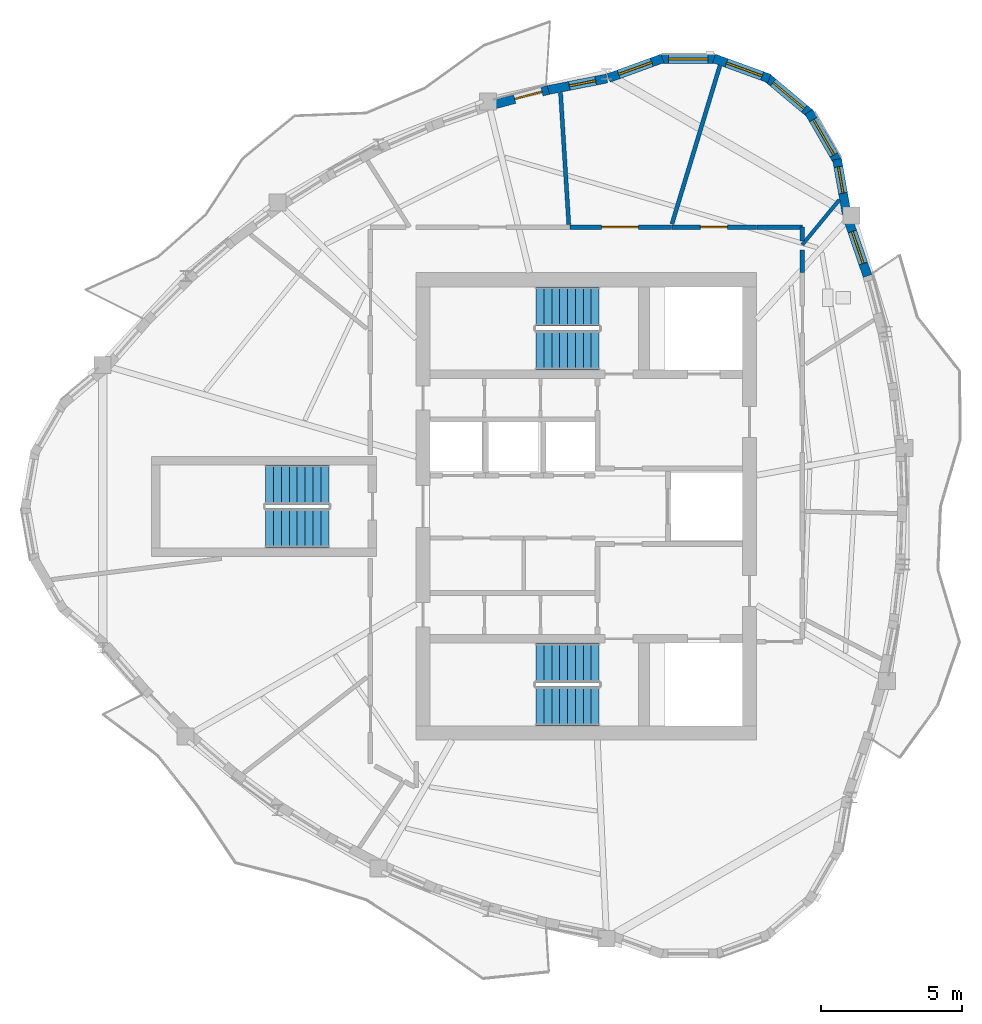
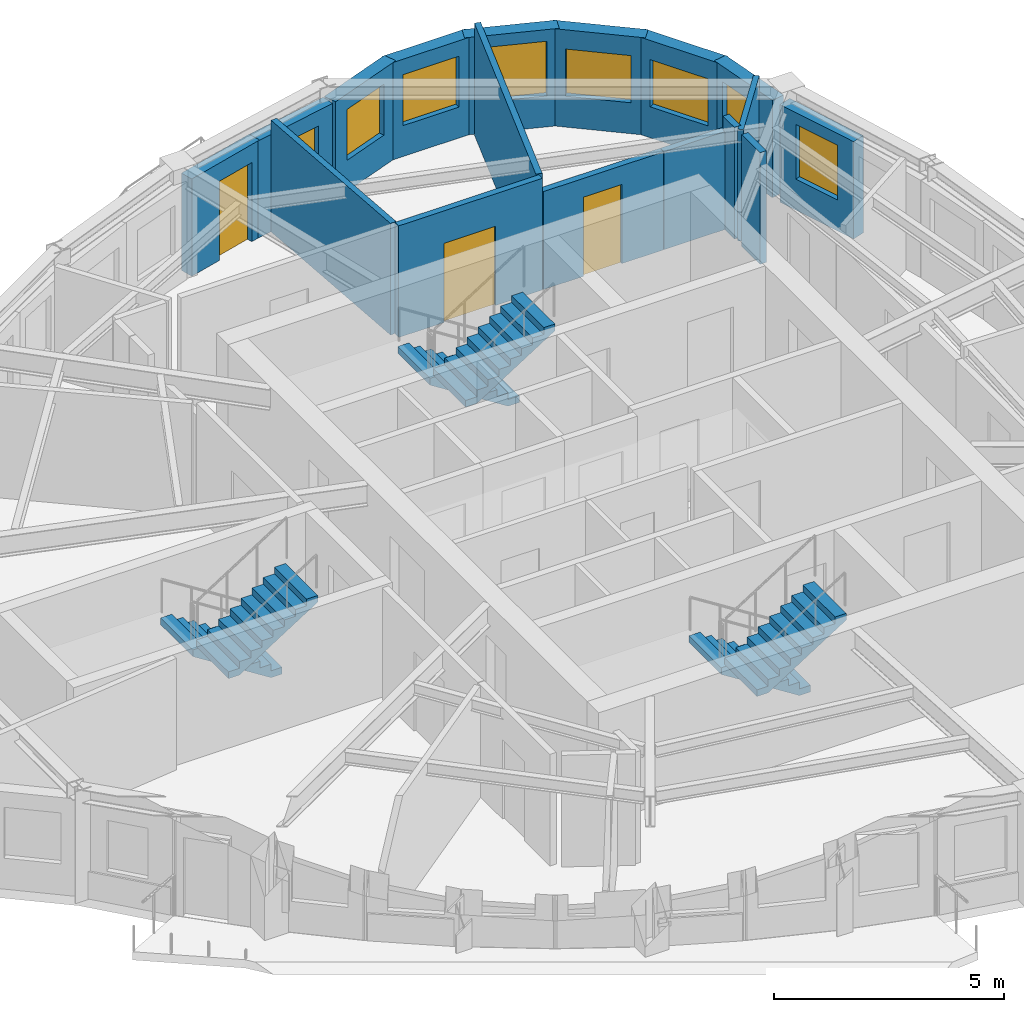
# One storey, part 7 of 11: 17 walls, 8 windows, 6 stair flights, 3 doors, 11 openings, 3 elements without a shape of their own.
"""IFC4 building model written with IfcOpenShell, lengths in metres."""

from ifc_helpers import new_model, si_unit, direction, frame, frame_2d, origin, place, context, subcontext, project, spatial, polyline, rectangle, outline, extrude, source, transform, mapped, material, layer, layer_set, type_object, element, fill, aggregate, save


model = new_model("IFC4")

# Units and contexts
model_context = context("Model", 3, precision=1e-05, world=origin(), true_north=direction((0.0, 1.0)))
body_context = subcontext(model_context, "Body", "Model", "MODEL_VIEW")
ifc_project = project(units=[si_unit("LENGTHUNIT", "METRE"), si_unit("AREAUNIT", "SQUARE_METRE"), si_unit("VOLUMEUNIT", "CUBIC_METRE"), si_unit("PLANEANGLEUNIT", "RADIAN"), si_unit("MASSUNIT", "GRAM", prefix="KILO")], contexts=[model_context])

# Site, building, storey
site_placement = place(None, origin())
site = spatial("IfcSite", under=ifc_project, at=site_placement, CompositionType="ELEMENT")
building_placement = place(site_placement, origin())
building = spatial("IfcBuilding", under=site, at=building_placement, Name="Qafzar Sky-Pleat Residences", CompositionType="ELEMENT")
storey_placement = place(building_placement, frame((0.0, 0.0, 243.60009765625)))
storey = spatial("IfcBuildingStorey", under=building, at=storey_placement, Name="L73", CompositionType="ELEMENT", Elevation=243.60009765625)

# Wall, opening, door
ifc_material_1 = material(Name="Acoustic gypsum plasterboard partition", Category="gypsum")
ifc_layer_1 = layer(ifc_material_1, 0.159912109375)
ifc_layer_set_1 = layer_set([ifc_layer_1], Name="Acoustic gypsum plasterboard partition")
wall_type_1 = type_object("IfcWallType", Name="PART-COR-160", PredefinedType="PARTITIONING", material=ifc_layer_set_1)
wall_1_placement = place(storey_placement, frame((29.760986328125, 35.919921875, 0.0), z_axis=(0.0, 0.0, 1.0), x_axis=(1.0, 0.0, 0.0)))
wall_1 = element("IfcWall", 1, at=wall_1_placement, inside=storey, type_object=wall_type_1, Name="L73 Partition Wall PART-L73-PW-006", PredefinedType="PARTITIONING", context=body_context, shape_type="SweptSolid", body=[
    extrude(rectangle(XDim=3.610107421875, YDim=0.159912109375, at=frame_2d((1.80517578125, 0.0))), origin(), (0.0, 0.0, 1.0), 2.9599609375),
])
opening_1_placement = place(wall_1_placement, frame((1.132568359375, 0.0, 0.0)))
opening_1 = element("IfcOpeningElement", 2, at=opening_1_placement, cuts=wall_1, Name="Opening ID-05", PredefinedType="OPENING", context=body_context, shape_type="SweptSolid", body=[
    extrude(rectangle(XDim=1.300048828125, YDim=2.10009765625, at=frame_2d((0.64990234375, 1.050048828125))), frame((0.0, 0.08984375, 0.0), z_axis=(0.0, -1.0, 0.0), x_axis=(1.0, 0.0, 0.0)), (0.0, 0.0, 1.0), 0.179931640625),
])
ifc_material_2 = material(Name="Timber-faced fire door", Category="wood")
door_type_1 = type_object("IfcDoorType", Name="DR-LNG-1300", OperationType="DOUBLE_DOOR_SINGLE_SWING", PredefinedType="DOOR", material=ifc_material_2)
shared_shape_1 = source(origin(), body_context, "Body", "SweptSolid", [
    extrude(rectangle(XDim=1.300048828125, YDim=2.10009765625, at=frame_2d((0.64990234375, 1.050048828125))), frame((0.0, 0.02490234375, 0.0), z_axis=(0.0, -1.0, 0.0), x_axis=(1.0, 0.0, 0.0)), (0.0, 0.0, 1.0), 0.050048828125),
])
door_1_placement = place(opening_1_placement, origin())
door_1 = element("IfcDoor", 3, at=door_1_placement, inside=storey, type_object=door_type_1, Name="L73 Graduate Lecture Room Door", OperationType="DOUBLE_DOOR_SINGLE_SWING", OverallHeight=2.10009765625, OverallWidth=1.300048828125, PredefinedType="DOOR", context=body_context, shape_type="MappedRepresentation", body=[
    mapped(shared_shape_1, transform((0.0, 0.0, 0.0), x_axis=(1.0, 0.0, 0.0), y_axis=(0.0, 1.0, 0.0), z_axis=(0.0, 0.0, 1.0), scale=1.0)),
])
fill(opening_1, door_1)

wall_2_placement = place(storey_placement, frame((33.385986328125, 35.919921875, 0.0), z_axis=(0.0, 0.0, 1.0), x_axis=(1.0, 0.0, 0.0)))
wall_2 = element("IfcWall", 4, at=wall_2_placement, inside=storey, type_object=wall_type_1, Name="L73 Partition Wall PART-L73-PW-009", PredefinedType="PARTITIONING", context=body_context, shape_type="SweptSolid", body=[
    extrude(rectangle(XDim=3.013916015625, YDim=0.159912109375, at=frame_2d((1.5068359375, 0.0))), origin(), (0.0, 0.0, 1.0), 2.597900390625),
])
opening_2_placement = place(wall_2_placement, frame((1.011962890625, 0.0, 0.0)))
opening_2 = element("IfcOpeningElement", 5, at=opening_2_placement, cuts=wall_2, Name="Opening ID-06", PredefinedType="OPENING", context=body_context, shape_type="SweptSolid", body=[
    extrude(rectangle(XDim=0.9599609375, YDim=2.10009765625, at=frame_2d((0.47998046875, 1.050048828125))), frame((0.0, 0.08984375, 0.0), z_axis=(0.0, -1.0, 0.0), x_axis=(1.0, 0.0, 0.0)), (0.0, 0.0, 1.0), 0.179931640625),
])
door_type_2 = type_object("IfcDoorType", Name="DR-STD-960", OperationType="NOTDEFINED", PredefinedType="DOOR", material=ifc_material_2)
shared_shape_2 = source(origin(), body_context, "Body", "SweptSolid", [
    extrude(rectangle(XDim=0.9599609375, YDim=2.10009765625, at=frame_2d((0.47998046875, 1.050048828125))), frame((0.0, 0.02490234375, 0.0), z_axis=(0.0, -1.0, 0.0), x_axis=(1.0, 0.0, 0.0)), (0.0, 0.0, 1.0), 0.050048828125),
])
door_2_placement = place(opening_2_placement, origin())
door_2 = element("IfcDoor", 6, at=door_2_placement, inside=storey, type_object=door_type_2, Name="L73 Faculty Research Office Door", OperationType="SINGLE_SWING_LEFT", OverallHeight=2.10009765625, OverallWidth=0.9599609375, PredefinedType="DOOR", context=body_context, shape_type="MappedRepresentation", body=[
    mapped(shared_shape_2, transform((0.0, 0.0, 0.0), x_axis=(1.0, 0.0, 0.0), y_axis=(0.0, 1.0, 0.0), z_axis=(0.0, 0.0, 1.0), scale=1.0)),
])
fill(opening_2, door_2)

# Walls
wall_3_placement = place(storey_placement, frame((36.4150390625, 35.919921875, 0.0), z_axis=(0.0, 0.0, 1.0), x_axis=(1.0, 0.0, 0.0)))
element("IfcWall", 7, at=wall_3_placement, inside=storey, type_object=wall_type_1, Name="L73 Partition Wall PART-L73-PW-023", PredefinedType="PARTITIONING", context=body_context, shape_type="SweptSolid", body=[
    extrude(rectangle(XDim=1.60498046875, YDim=0.159912109375, at=frame_2d((0.802490234375, 0.0))), origin(), (0.0, 0.0, 1.0), 2.597900390625),
])
wall_4_placement = place(storey_placement, frame((38.02001953125, 34.31494140625, 0.0), z_axis=(0.0, 0.0, 1.0), x_axis=(0.0, 1.0, 0.0)))
element("IfcWall", 8, at=wall_4_placement, inside=storey, type_object=wall_type_1, Name="L73 Partition Wall PART-L73-PW-026", PredefinedType="PARTITIONING", context=body_context, shape_type="SweptSolid", body=[
    extrude(rectangle(XDim=0.7958984375, YDim=0.159912109375, at=frame_2d((0.39794921875, 0.0))), origin(), (0.0, 0.0, 1.0), 2.9599609375),
])
wall_5_placement = place(storey_placement, frame((38.02001953125, 35.423095703125, 0.0), z_axis=(0.0, 0.0, 1.0), x_axis=(0.0, 1.0, 0.0)))
element("IfcWall", 9, at=wall_5_placement, inside=storey, type_object=wall_type_1, Name="L73 Partition Wall PART-L73-PW-031", PredefinedType="PARTITIONING", context=body_context, shape_type="SweptSolid", body=[
    extrude(rectangle(XDim=0.496826171875, YDim=0.159912109375, at=frame_2d((0.24853515625, 0.0))), origin(), (0.0, 0.0, 1.0), 2.9599609375),
])
ifc_layer_2 = layer(ifc_material_1, 0.14501953125)
ifc_layer_set_2 = layer_set([ifc_layer_2], Name="Acoustic gypsum plasterboard partition")
wall_type_2 = type_object("IfcWallType", Name="PART-UNIT-145", PredefinedType="PARTITIONING", material=ifc_layer_set_2)
wall_6_placement = place(storey_placement, frame((33.388916015625, 36.02880859375, 0.0), z_axis=(0.0, 0.0, 1.0), x_axis=(0.289965875663, 0.957036985153, 0.0)))
element("IfcWall", 10, at=wall_6_placement, inside=storey, type_object=wall_type_2, Name="L73 Partition Wall PART-L73-PW-013", PredefinedType="PARTITIONING", context=body_context, shape_type="SweptSolid", body=[
    extrude(rectangle(XDim=5.875244140625, YDim=0.14501953125, at=frame_2d((2.9375, 0.0))), origin(), (0.0, 0.0, 1.0), 2.9599609375),
])
wall_7_placement = place(storey_placement, frame((29.4326171875, 40.693603515625, 0.0), z_axis=(0.0, 0.0, 1.0), x_axis=(0.062358842424, -0.998053793526, 0.0)))
element("IfcWall", 11, at=wall_7_placement, inside=storey, type_object=wall_type_2, Name="L73 Partition Wall PART-L73-PW-016", PredefinedType="PARTITIONING", context=body_context, shape_type="SweptSolid", body=[
    extrude(rectangle(XDim=4.690185546875, YDim=0.14501953125, at=frame_2d((2.34521484375, 0.0))), origin(), (0.0, 0.0, 1.0), 2.9599609375),
])
ifc_material_3 = material(Name="Moisture-resistant gypsum partition", Category="gypsum")
ifc_layer_3 = layer(ifc_material_3, 0.1298828125)
ifc_layer_set_3 = layer_set([ifc_layer_3], Name="Moisture-resistant gypsum partition")
wall_type_3 = type_object("IfcWallType", Name="PART-WET-130", PredefinedType="PARTITIONING", material=ifc_layer_set_3)
wall_8_placement = place(storey_placement, frame((38.02001953125, 35.2939453125, 0.0), z_axis=(0.0, 0.0, 1.0), x_axis=(0.636518208935, 0.771261673943, 0.0)))
element("IfcWall", 12, at=wall_8_placement, inside=storey, type_object=wall_type_3, Name="L73 Partition Wall PART-L73-PW-022", PredefinedType="PARTITIONING", context=body_context, shape_type="SweptSolid", body=[
    extrude(rectangle(XDim=2.0673828125, YDim=0.1298828125, at=frame_2d((1.03369140625, 0.0))), origin(), (0.0, 0.0, 1.0), 2.9599609375),
])

# Wall, opening, window
ifc_material_4 = material(Name="Precast concrete C40/50 with honed Riyadh limestone", Category="concrete")
ifc_layer_4 = layer(ifc_material_4, 0.320068359375)
ifc_layer_set_4 = layer_set([ifc_layer_4], Name="Precast concrete C40/50 with honed Riyadh limestone")
wall_type_4 = type_object("IfcWallType", Name="WALL-EXT-320", PredefinedType="SOLIDWALL", material=ifc_layer_set_4)
wall_9_placement = place(storey_placement, frame((40.33544921875, 34.18115234375, 0.0), z_axis=(0.0, 0.0, 1.0), x_axis=(-0.323601383087, 0.946193502865, 0.0)))
wall_9 = element("IfcWall", 13, at=wall_9_placement, inside=storey, type_object=wall_type_4, Name="L73 Limestone Facade Wall 32", PredefinedType="SOLIDWALL", context=body_context, shape_type="SweptSolid", body=[
    extrude(rectangle(XDim=2.1328125, YDim=0.320068359375, at=frame_2d((1.06640625, 0.0))), origin(), (0.0, 0.0, 1.0), 2.579833984375),
])
opening_3_placement = place(wall_9_placement, frame((0.471435546875, 0.0, 0.820068359375)))
opening_3 = element("IfcOpeningElement", 14, at=opening_3_placement, cuts=wall_9, Name="Opening WN-05", PredefinedType="OPENING", context=body_context, shape_type="SweptSolid", body=[
    extrude(rectangle(XDim=1.199951171875, YDim=1.449951171875, at=frame_2d((0.60009765625, 0.72509765625))), frame((0.0, 0.169921875, 0.0), z_axis=(0.0, -1.0, 0.0), x_axis=(1.0, 0.0, 0.0)), (0.0, 0.0, 1.0), 0.340087890625),
])
ifc_material_5 = material(Name="Solar-control low-E glass in bronze aluminium frame", Category="glass")
window_type_1 = type_object("IfcWindowType", Name="WIN-05", PartitioningType="SINGLE_PANEL", PredefinedType="WINDOW", material=ifc_material_5)
shared_shape_3 = source(origin(), body_context, "Body", "SweptSolid", [
    extrude(rectangle(XDim=1.199951171875, YDim=1.449951171875, at=frame_2d((0.60009765625, 0.72509765625))), frame((0.0, 0.030029296875, 0.0), z_axis=(0.0, -1.0, 0.0), x_axis=(1.0, 0.0, 0.0)), (0.0, 0.0, 1.0), 0.06005859375),
])
window_1_placement = place(opening_3_placement, origin())
window_1 = element("IfcWindow", 15, at=window_1_placement, inside=storey, type_object=window_type_1, Name="L73 Punched Facade Window 32", OverallHeight=1.449951171875, OverallWidth=1.199951171875, PartitioningType="SINGLE_PANEL", PredefinedType="WINDOW", context=body_context, shape_type="MappedRepresentation", body=[
    mapped(shared_shape_3, transform((0.0, 0.0, 0.0), x_axis=(1.0, 0.0, 0.0), y_axis=(0.0, 1.0, 0.0), z_axis=(0.0, 0.0, 1.0), scale=1.0)),
])
fill(opening_3, window_1)

wall_10_placement = place(storey_placement, frame((39.59423828125, 36.396728515625, 0.0), z_axis=(0.0, 0.0, 1.0), x_axis=(-0.173671780312, 0.984803590937, 0.0)))
wall_10 = element("IfcWall", 16, at=wall_10_placement, inside=storey, type_object=wall_type_4, Name="L73 Limestone Facade Wall 33", PredefinedType="SOLIDWALL", context=body_context, shape_type="SweptSolid", body=[
    extrude(rectangle(XDim=1.96240234375, YDim=0.320068359375, at=frame_2d((0.981201171875, 0.0))), origin(), (0.0, 0.0, 1.0), 2.579833984375),
])
opening_4_placement = place(wall_10_placement, frame((0.739013671875, 0.0, 0.820068359375)))
opening_4 = element("IfcOpeningElement", 17, at=opening_4_placement, cuts=wall_10, Name="Opening WN-12", PredefinedType="OPENING", context=body_context, shape_type="SweptSolid", body=[
    extrude(rectangle(XDim=0.949951171875, YDim=1.35009765625, at=frame_2d((0.47509765625, 0.675048828125))), frame((0.0, 0.169921875, 0.0), z_axis=(0.0, -1.0, 0.0), x_axis=(1.0, 0.0, 0.0)), (0.0, 0.0, 1.0), 0.340087890625),
])
window_type_2 = type_object("IfcWindowType", Name="WIN-12", PartitioningType="SINGLE_PANEL", PredefinedType="WINDOW", material=ifc_material_5)
shared_shape_4 = source(origin(), body_context, "Body", "SweptSolid", [
    extrude(rectangle(XDim=0.949951171875, YDim=1.35009765625, at=frame_2d((0.47509765625, 0.675048828125))), frame((0.0, 0.030029296875, 0.0), z_axis=(0.0, -1.0, 0.0), x_axis=(1.0, 0.0, 0.0)), (0.0, 0.0, 1.0), 0.06005859375),
])
window_2_placement = place(opening_4_placement, origin())
window_2 = element("IfcWindow", 18, at=window_2_placement, inside=storey, type_object=window_type_2, Name="L73 Punched Facade Window 33-2", OverallHeight=1.35009765625, OverallWidth=0.949951171875, PartitioningType="SINGLE_PANEL", PredefinedType="WINDOW", context=body_context, shape_type="MappedRepresentation", body=[
    mapped(shared_shape_4, transform((0.0, 0.0, 0.0), x_axis=(1.0, 0.0, 0.0), y_axis=(0.0, 1.0, 0.0), z_axis=(0.0, 0.0, 1.0), scale=1.0)),
])
fill(opening_4, window_2)

wall_11_placement = place(storey_placement, frame((39.298095703125, 38.206787109375, 0.0), z_axis=(0.0, 0.0, 1.0), x_axis=(-0.499995423472, 0.866028046028, 0.0)))
wall_11 = element("IfcWall", 19, at=wall_11_placement, inside=storey, type_object=wall_type_4, Name="L73 Limestone Facade Wall 34", PredefinedType="SOLIDWALL", context=body_context, shape_type="SweptSolid", body=[
    extrude(rectangle(XDim=2.09033203125, YDim=0.320068359375, at=frame_2d((1.045166015625, 0.0))), origin(), (0.0, 0.0, 1.0), 2.579833984375),
])
opening_5_placement = place(wall_11_placement, frame((0.3203125, 0.0, 0.820068359375)))
opening_5 = element("IfcOpeningElement", 20, at=opening_5_placement, cuts=wall_11, Name="Opening WN-15", PredefinedType="OPENING", context=body_context, shape_type="SweptSolid", body=[
    extrude(rectangle(XDim=1.449951171875, YDim=1.25, at=frame_2d((0.72509765625, 0.625))), frame((0.0, 0.169921875, 0.0), z_axis=(0.0, -1.0, 0.0), x_axis=(1.0, 0.0, 0.0)), (0.0, 0.0, 1.0), 0.340087890625),
])
window_type_3 = type_object("IfcWindowType", Name="WIN-15", PartitioningType="SINGLE_PANEL", PredefinedType="WINDOW", material=ifc_material_5)
shared_shape_5 = source(origin(), body_context, "Body", "SweptSolid", [
    extrude(rectangle(XDim=1.449951171875, YDim=1.25, at=frame_2d((0.72509765625, 0.625))), frame((0.0, 0.030029296875, 0.0), z_axis=(0.0, -1.0, 0.0), x_axis=(1.0, 0.0, 0.0)), (0.0, 0.0, 1.0), 0.06005859375),
])
window_3_placement = place(opening_5_placement, origin())
window_3 = element("IfcWindow", 21, at=window_3_placement, inside=storey, type_object=window_type_3, Name="L73 Punched Facade Window 34", OverallHeight=1.25, OverallWidth=1.449951171875, PartitioningType="SINGLE_PANEL", PredefinedType="WINDOW", context=body_context, shape_type="MappedRepresentation", body=[
    mapped(shared_shape_5, transform((0.0, 0.0, 0.0), x_axis=(1.0, 0.0, 0.0), y_axis=(0.0, 1.0, 0.0), z_axis=(0.0, 0.0, 1.0), scale=1.0)),
])
fill(opening_5, window_3)

wall_12_placement = place(storey_placement, frame((38.3369140625, 39.917236328125, 0.0), z_axis=(0.0, 0.0, 1.0), x_axis=(-0.766024572719, 0.642811289563, 0.0)))
wall_12 = element("IfcWall", 22, at=wall_12_placement, inside=storey, type_object=wall_type_4, Name="L73 Limestone Facade Wall 35", PredefinedType="SOLIDWALL", context=body_context, shape_type="SweptSolid", body=[
    extrude(rectangle(XDim=2.09033203125, YDim=0.320068359375, at=frame_2d((1.045166015625, 0.0))), origin(), (0.0, 0.0, 1.0), 2.579833984375),
])
opening_6_placement = place(wall_12_placement, frame((0.3203125, 0.0, 0.820068359375)))
opening_6 = element("IfcOpeningElement", 23, at=opening_6_placement, cuts=wall_12, Name="Opening WN-15", PredefinedType="OPENING", context=body_context, shape_type="SweptSolid", body=[
    extrude(rectangle(XDim=1.449951171875, YDim=1.25, at=frame_2d((0.72509765625, 0.625))), frame((0.0, 0.169921875, 0.0), z_axis=(0.0, -1.0, 0.0), x_axis=(1.0, 0.0, 0.0)), (0.0, 0.0, 1.0), 0.340087890625),
])
window_4_placement = place(opening_6_placement, origin())
window_4 = element("IfcWindow", 24, at=window_4_placement, inside=storey, type_object=window_type_3, Name="L73 Punched Facade Window 35", OverallHeight=1.25, OverallWidth=1.449951171875, PartitioningType="SINGLE_PANEL", PredefinedType="WINDOW", context=body_context, shape_type="MappedRepresentation", body=[
    mapped(shared_shape_5, transform((0.0, 0.0, 0.0), x_axis=(1.0, 0.0, 0.0), y_axis=(0.0, 1.0, 0.0), z_axis=(0.0, 0.0, 1.0), scale=1.0)),
])
fill(opening_6, window_4)

wall_13_placement = place(storey_placement, frame((36.848388671875, 41.19580078125, 0.0), z_axis=(0.0, 0.0, 1.0), x_axis=(-0.93973543134, 0.341902499383, 0.0)))
wall_13 = element("IfcWall", 25, at=wall_13_placement, inside=storey, type_object=wall_type_4, Name="L73 Limestone Facade Wall 36", PredefinedType="SOLIDWALL", context=body_context, shape_type="SweptSolid", body=[
    extrude(rectangle(XDim=2.090087890625, YDim=0.320068359375, at=frame_2d((1.044921875, 0.0))), origin(), (0.0, 0.0, 1.0), 2.579833984375),
])
opening_7_placement = place(wall_13_placement, frame((0.2685546875, 0.0, 0.820068359375)))
opening_7 = element("IfcOpeningElement", 26, at=opening_7_placement, cuts=wall_13, Name="Opening WN-04", PredefinedType="OPENING", context=body_context, shape_type="SweptSolid", body=[
    extrude(rectangle(XDim=1.35009765625, YDim=1.449951171875, at=frame_2d((0.675048828125, 0.72509765625))), frame((0.0, 0.169921875, 0.0), z_axis=(0.0, -1.0, 0.0), x_axis=(1.0, 0.0, 0.0)), (0.0, 0.0, 1.0), 0.340087890625),
])
window_type_4 = type_object("IfcWindowType", Name="WIN-04", PartitioningType="SINGLE_PANEL", PredefinedType="WINDOW", material=ifc_material_5)
shared_shape_6 = source(origin(), body_context, "Body", "SweptSolid", [
    extrude(rectangle(XDim=1.35009765625, YDim=1.449951171875, at=frame_2d((0.675048828125, 0.72509765625))), frame((0.0, 0.030029296875, 0.0), z_axis=(0.0, -1.0, 0.0), x_axis=(1.0, 0.0, 0.0)), (0.0, 0.0, 1.0), 0.06005859375),
])
window_5_placement = place(opening_7_placement, origin())
window_5 = element("IfcWindow", 27, at=window_5_placement, inside=storey, type_object=window_type_4, Name="L73 Punched Facade Window 36", OverallHeight=1.449951171875, OverallWidth=1.35009765625, PartitioningType="SINGLE_PANEL", PredefinedType="WINDOW", context=body_context, shape_type="MappedRepresentation", body=[
    mapped(shared_shape_6, transform((0.0, 0.0, 0.0), x_axis=(1.0, 0.0, 0.0), y_axis=(0.0, 1.0, 0.0), z_axis=(0.0, 0.0, 1.0), scale=1.0)),
])
fill(opening_7, window_5)

wall_14_placement = place(storey_placement, frame((35.0126953125, 41.887939453125, 0.0), z_axis=(0.0, 0.0, 1.0), x_axis=(-1.0, 0.0, 0.0)))
wall_14 = element("IfcWall", 28, at=wall_14_placement, inside=storey, type_object=wall_type_4, Name="L73 Limestone Facade Wall 37", PredefinedType="SOLIDWALL", context=body_context, shape_type="SweptSolid", body=[
    extrude(rectangle(XDim=2.09033203125, YDim=0.320068359375, at=frame_2d((1.045166015625, 0.0))), origin(), (0.0, 0.0, 1.0), 2.579833984375),
])
opening_8_placement = place(wall_14_placement, frame((0.34521484375, 0.0, 0.820068359375)))
opening_8 = element("IfcOpeningElement", 29, at=opening_8_placement, cuts=wall_14, Name="Opening WN-10", PredefinedType="OPENING", context=body_context, shape_type="SweptSolid", body=[
    extrude(rectangle(XDim=1.39990234375, YDim=1.35009765625, at=frame_2d((0.699951171875, 0.675048828125))), frame((0.0, 0.169921875, 0.0), z_axis=(0.0, -1.0, 0.0), x_axis=(1.0, 0.0, 0.0)), (0.0, 0.0, 1.0), 0.340087890625),
])
window_type_5 = type_object("IfcWindowType", Name="WIN-10", PartitioningType="SINGLE_PANEL", PredefinedType="WINDOW", material=ifc_material_5)
shared_shape_7 = source(origin(), body_context, "Body", "SweptSolid", [
    extrude(rectangle(XDim=1.39990234375, YDim=1.35009765625, at=frame_2d((0.699951171875, 0.675048828125))), frame((0.0, 0.030029296875, 0.0), z_axis=(0.0, -1.0, 0.0), x_axis=(1.0, 0.0, 0.0)), (0.0, 0.0, 1.0), 0.06005859375),
])
window_6_placement = place(opening_8_placement, origin())
window_6 = element("IfcWindow", 30, at=window_6_placement, inside=storey, type_object=window_type_5, Name="L73 Punched Facade Window 37", OverallHeight=1.35009765625, OverallWidth=1.39990234375, PartitioningType="SINGLE_PANEL", PredefinedType="WINDOW", context=body_context, shape_type="MappedRepresentation", body=[
    mapped(shared_shape_7, transform((0.0, 0.0, 0.0), x_axis=(1.0, 0.0, 0.0), y_axis=(0.0, 1.0, 0.0), z_axis=(0.0, 0.0, 1.0), scale=1.0)),
])
fill(opening_8, window_6)

wall_15_placement = place(storey_placement, frame((33.05078125, 41.910400390625, 0.0), z_axis=(0.0, 0.0, 1.0), x_axis=(-0.939730268502, -0.341916689358, 0.0)))
wall_15 = element("IfcWall", 31, at=wall_15_placement, inside=storey, type_object=wall_type_4, Name="L73 Limestone Facade Wall 38", PredefinedType="SOLIDWALL", context=body_context, shape_type="SweptSolid", body=[
    extrude(rectangle(XDim=2.0322265625, YDim=0.320068359375, at=frame_2d((1.01611328125, 0.0))), origin(), (0.0, 0.0, 1.0), 2.579833984375),
])
opening_9_placement = place(wall_15_placement, frame((0.401123046875, 0.0, 0.820068359375)))
opening_9 = element("IfcOpeningElement", 32, at=opening_9_placement, cuts=wall_15, Name="Opening WN-11", PredefinedType="OPENING", context=body_context, shape_type="SweptSolid", body=[
    extrude(rectangle(XDim=1.25, YDim=1.35009765625, at=frame_2d((0.625, 0.675048828125))), frame((0.0, 0.169921875, 0.0), z_axis=(0.0, -1.0, 0.0), x_axis=(1.0, 0.0, 0.0)), (0.0, 0.0, 1.0), 0.340087890625),
])
window_type_6 = type_object("IfcWindowType", Name="WIN-11", PartitioningType="SINGLE_PANEL", PredefinedType="WINDOW", material=ifc_material_5)
shared_shape_8 = source(origin(), body_context, "Body", "SweptSolid", [
    extrude(rectangle(XDim=1.25, YDim=1.35009765625, at=frame_2d((0.625, 0.675048828125))), frame((0.0, 0.030029296875, 0.0), z_axis=(0.0, -1.0, 0.0), x_axis=(1.0, 0.0, 0.0)), (0.0, 0.0, 1.0), 0.06005859375),
])
window_7_placement = place(opening_9_placement, origin())
window_7 = element("IfcWindow", 33, at=window_7_placement, inside=storey, type_object=window_type_6, Name="L73 Punched Facade Window 38", OverallHeight=1.35009765625, OverallWidth=1.25, PartitioningType="SINGLE_PANEL", PredefinedType="WINDOW", context=body_context, shape_type="MappedRepresentation", body=[
    mapped(shared_shape_8, transform((0.0, 0.0, 0.0), x_axis=(1.0, 0.0, 0.0), y_axis=(0.0, 1.0, 0.0), z_axis=(0.0, 0.0, 1.0), scale=1.0)),
])
fill(opening_9, window_7)

wall_16_placement = place(storey_placement, frame((31.07861328125, 41.197998046875, 0.0), z_axis=(0.0, 0.0, 1.0), x_axis=(-0.981223354781, -0.192874902544, 0.0)))
wall_16 = element("IfcWall", 34, at=wall_16_placement, inside=storey, type_object=wall_type_4, Name="L73 Limestone Facade Wall 39", PredefinedType="SOLIDWALL", context=body_context, shape_type="SweptSolid", body=[
    extrude(rectangle(XDim=2.202392578125, YDim=0.320068359375, at=frame_2d((1.10107421875, 0.0))), origin(), (0.0, 0.0, 1.0), 2.579833984375),
])
opening_10_placement = place(wall_16_placement, frame((0.4091796875, 0.0, 0.820068359375)))
opening_10 = element("IfcOpeningElement", 35, at=opening_10_placement, cuts=wall_16, Name="Opening WN-12", PredefinedType="OPENING", context=body_context, shape_type="SweptSolid", body=[
    extrude(rectangle(XDim=0.949951171875, YDim=1.35009765625, at=frame_2d((0.47509765625, 0.675048828125))), frame((0.0, 0.169921875, 0.0), z_axis=(0.0, -1.0, 0.0), x_axis=(1.0, 0.0, 0.0)), (0.0, 0.0, 1.0), 0.340087890625),
])
window_8_placement = place(opening_10_placement, origin())
window_8 = element("IfcWindow", 36, at=window_8_placement, inside=storey, type_object=window_type_2, Name="L73 Punched Facade Window 39", OverallHeight=1.35009765625, OverallWidth=0.949951171875, PartitioningType="SINGLE_PANEL", PredefinedType="WINDOW", context=body_context, shape_type="MappedRepresentation", body=[
    mapped(shared_shape_4, transform((0.0, 0.0, 0.0), x_axis=(1.0, 0.0, 0.0), y_axis=(0.0, 1.0, 0.0), z_axis=(0.0, 0.0, 1.0), scale=1.0)),
])
fill(opening_10, window_8)

# Wall, opening, door
wall_17_placement = place(storey_placement, frame((29.002197265625, 40.79296875, 0.0), z_axis=(0.0, 0.0, 1.0), x_axis=(-0.965467637734, -0.260523013357, 0.0)))
wall_17 = element("IfcWall", 37, at=wall_17_placement, inside=storey, type_object=wall_type_4, Name="L73 Limestone Facade Wall 40", PredefinedType="SOLIDWALL", context=body_context, shape_type="SweptSolid", body=[
    extrude(rectangle(XDim=2.0869140625, YDim=0.320068359375, at=frame_2d((1.04345703125, 0.0))), origin(), (0.0, 0.0, 1.0), 2.579833984375),
])
opening_11_placement = place(wall_17_placement, frame((0.239990234375, 0.0, 0.0)))
opening_11 = element("IfcOpeningElement", 38, at=opening_11_placement, cuts=wall_17, Name="Opening ED-05", PredefinedType="OPENING", context=body_context, shape_type="SweptSolid", body=[
    extrude(rectangle(XDim=1.0, YDim=2.10009765625, at=frame_2d((0.5, 1.050048828125))), frame((0.0, 0.169921875, 0.0), z_axis=(0.0, -1.0, 0.0), x_axis=(1.0, 0.0, 0.0)), (0.0, 0.0, 1.0), 0.340087890625),
])
ifc_material_6 = material(Name="Glazed bronze aluminium door", Category="aluminium")
door_type_3 = type_object("IfcDoorType", Name="DR-BAL-1000", OperationType="NOTDEFINED", PredefinedType="DOOR", material=ifc_material_6)
shared_shape_9 = source(origin(), body_context, "Body", "SweptSolid", [
    extrude(rectangle(XDim=1.0, YDim=2.10009765625, at=frame_2d((0.5, 1.050048828125))), frame((0.0, 0.02490234375, 0.0), z_axis=(0.0, -1.0, 0.0), x_axis=(1.0, 0.0, 0.0)), (0.0, 0.0, 1.0), 0.050048828125),
])
door_3_placement = place(opening_11_placement, origin())
door_3 = element("IfcDoor", 39, at=door_3_placement, inside=storey, type_object=door_type_3, Name="L73 Glazed Balcony Door 2", OperationType="SINGLE_SWING_LEFT", OverallHeight=2.10009765625, OverallWidth=1.0, PredefinedType="DOOR", context=body_context, shape_type="MappedRepresentation", body=[
    mapped(shared_shape_9, transform((0.0, 0.0, 0.0), x_axis=(1.0, 0.0, 0.0), y_axis=(0.0, 1.0, 0.0), z_axis=(0.0, 0.0, 1.0), scale=1.0)),
])
fill(opening_11, door_3)

# Stair, stair flights
ifc_material_7 = material(Name="Concrete C40/50", Category="concrete")
stair_type = type_object("IfcStairType", Name="STAIR-H320", PredefinedType="HALF_TURN_STAIR", material=ifc_material_7)
stair_1_placement = place(storey_placement, origin())
stair_1 = element("IfcStair", 40, at=stair_1_placement, inside=storey, type_object=stair_type, Name="L73 Protected Exit Stair ST1", PredefinedType="HALF_TURN_STAIR")
stair_flight_type = type_object("IfcStairFlightType", Name="FLIGHT-H320", PredefinedType="STRAIGHT", material=ifc_material_7)
shared_shape_10 = source(origin(), body_context, "Body", "SweptSolid", [
    extrude(outline(polyline([(0.0, 0.0), (0.0, 0.177734375), (0.280029296875, 0.177734375), (0.280029296875, 0.35546875), (0.56005859375, 0.35546875), (0.56005859375, 0.533447265625), (0.840087890625, 0.533447265625), (0.840087890625, 0.711181640625), (1.1201171875, 0.711181640625), (1.1201171875, 0.888916015625), (1.39990234375, 0.888916015625), (1.39990234375, 1.066650390625), (1.679931640625, 1.066650390625), (1.679931640625, 1.244384765625), (1.9599609375, 1.244384765625), (1.9599609375, 1.422119140625), (2.239990234375, 1.422119140625), (2.239990234375, 1.60009765625), (2.239990234375, 1.24462890625), (0.27978515625, 0.0), (0.0, 0.0)])), frame((0.0, 0.699951171875, 0.0), z_axis=(0.0, -1.0, 0.0), x_axis=(1.0, 0.0, 0.0)), (0.0, 0.0, 1.0), 1.39990234375),
])
stair_flight_1_placement = place(storey_placement, frame((30.800048828125, 20.449951171875, 0.0), z_axis=(0.0, 0.0, 1.0), x_axis=(-1.0, 0.0, 0.0)))
stair_flight_1 = element("IfcStairFlight", 41, at=stair_flight_1_placement, type_object=stair_flight_type, Name="ST1 flight 1", NumberOfRisers=9, NumberOfTreads=8, PredefinedType="STRAIGHT", RiserHeight=0.177777778, TreadLength=0.28, context=body_context, shape_type="MappedRepresentation", body=[
    mapped(shared_shape_10, transform((0.0, 0.0, 0.0), x_axis=(1.0, 0.0, 0.0), y_axis=(0.0, 1.0, 0.0), z_axis=(0.0, 0.0, 1.0), scale=1.0)),
])
stair_flight_2_placement = place(storey_placement, frame((28.56005859375, 18.89990234375, 1.599853515625), z_axis=(0.0, 0.0, 1.0), x_axis=(1.0, 0.0, 0.0)))
stair_flight_2 = element("IfcStairFlight", 42, at=stair_flight_2_placement, type_object=stair_flight_type, Name="ST1 flight 2", NumberOfRisers=9, NumberOfTreads=8, PredefinedType="STRAIGHT", RiserHeight=0.177777778, TreadLength=0.28, context=body_context, shape_type="MappedRepresentation", body=[
    mapped(shared_shape_10, transform((0.0, 0.0, 0.0), x_axis=(1.0, 0.0, 0.0), y_axis=(0.0, 1.0, 0.0), z_axis=(0.0, 0.0, 1.0), scale=1.0)),
])
aggregate(stair_1, [stair_flight_1, stair_flight_2])

stair_2_placement = place(storey_placement, origin())
stair_2 = element("IfcStair", 43, at=stair_2_placement, inside=storey, type_object=stair_type, Name="L73 Protected Exit Stair ST2", PredefinedType="HALF_TURN_STAIR")
stair_flight_3_placement = place(storey_placement, frame((30.800048828125, 33.10009765625, 0.0), z_axis=(0.0, 0.0, 1.0), x_axis=(-1.0, 0.0, 0.0)))
stair_flight_3 = element("IfcStairFlight", 44, at=stair_flight_3_placement, type_object=stair_flight_type, Name="ST2 flight 1", NumberOfRisers=9, NumberOfTreads=8, PredefinedType="STRAIGHT", RiserHeight=0.177777778, TreadLength=0.28, context=body_context, shape_type="MappedRepresentation", body=[
    mapped(shared_shape_10, transform((0.0, 0.0, 0.0), x_axis=(1.0, 0.0, 0.0), y_axis=(0.0, 1.0, 0.0), z_axis=(0.0, 0.0, 1.0), scale=1.0)),
])
stair_flight_4_placement = place(storey_placement, frame((28.56005859375, 31.550048828125, 1.599853515625), z_axis=(0.0, 0.0, 1.0), x_axis=(1.0, 0.0, 0.0)))
stair_flight_4 = element("IfcStairFlight", 45, at=stair_flight_4_placement, type_object=stair_flight_type, Name="ST2 flight 2", NumberOfRisers=9, NumberOfTreads=8, PredefinedType="STRAIGHT", RiserHeight=0.177777778, TreadLength=0.28, context=body_context, shape_type="MappedRepresentation", body=[
    mapped(shared_shape_10, transform((0.0, 0.0, 0.0), x_axis=(1.0, 0.0, 0.0), y_axis=(0.0, 1.0, 0.0), z_axis=(0.0, 0.0, 1.0), scale=1.0)),
])
aggregate(stair_2, [stair_flight_3, stair_flight_4])

stair_3_placement = place(storey_placement, origin())
stair_3 = element("IfcStair", 46, at=stair_3_placement, inside=storey, type_object=stair_type, Name="L73 Protected Exit Stair ST3", PredefinedType="HALF_TURN_STAIR")
stair_flight_5_placement = place(storey_placement, frame((21.199951171875, 26.77490234375, 0.0), z_axis=(0.0, 0.0, 1.0), x_axis=(-1.0, 0.0, 0.0)))
stair_flight_5 = element("IfcStairFlight", 47, at=stair_flight_5_placement, type_object=stair_flight_type, Name="ST3 flight 1", NumberOfRisers=9, NumberOfTreads=8, PredefinedType="STRAIGHT", RiserHeight=0.177777778, TreadLength=0.28, context=body_context, shape_type="MappedRepresentation", body=[
    mapped(shared_shape_10, transform((0.0, 0.0, 0.0), x_axis=(1.0, 0.0, 0.0), y_axis=(0.0, 1.0, 0.0), z_axis=(0.0, 0.0, 1.0), scale=1.0)),
])
stair_flight_6_placement = place(storey_placement, frame((18.9599609375, 25.22509765625, 1.599853515625), z_axis=(0.0, 0.0, 1.0), x_axis=(1.0, 0.0, 0.0)))
stair_flight_6 = element("IfcStairFlight", 48, at=stair_flight_6_placement, type_object=stair_flight_type, Name="ST3 flight 2", NumberOfRisers=9, NumberOfTreads=8, PredefinedType="STRAIGHT", RiserHeight=0.177777778, TreadLength=0.28, context=body_context, shape_type="MappedRepresentation", body=[
    mapped(shared_shape_10, transform((0.0, 0.0, 0.0), x_axis=(1.0, 0.0, 0.0), y_axis=(0.0, 1.0, 0.0), z_axis=(0.0, 0.0, 1.0), scale=1.0)),
])
aggregate(stair_3, [stair_flight_5, stair_flight_6])

save(model, "model.ifc")
